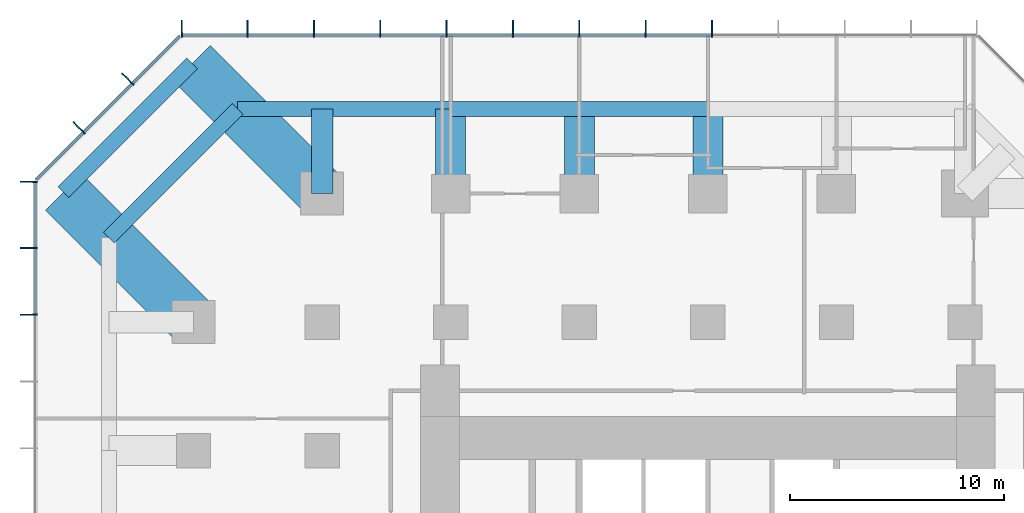
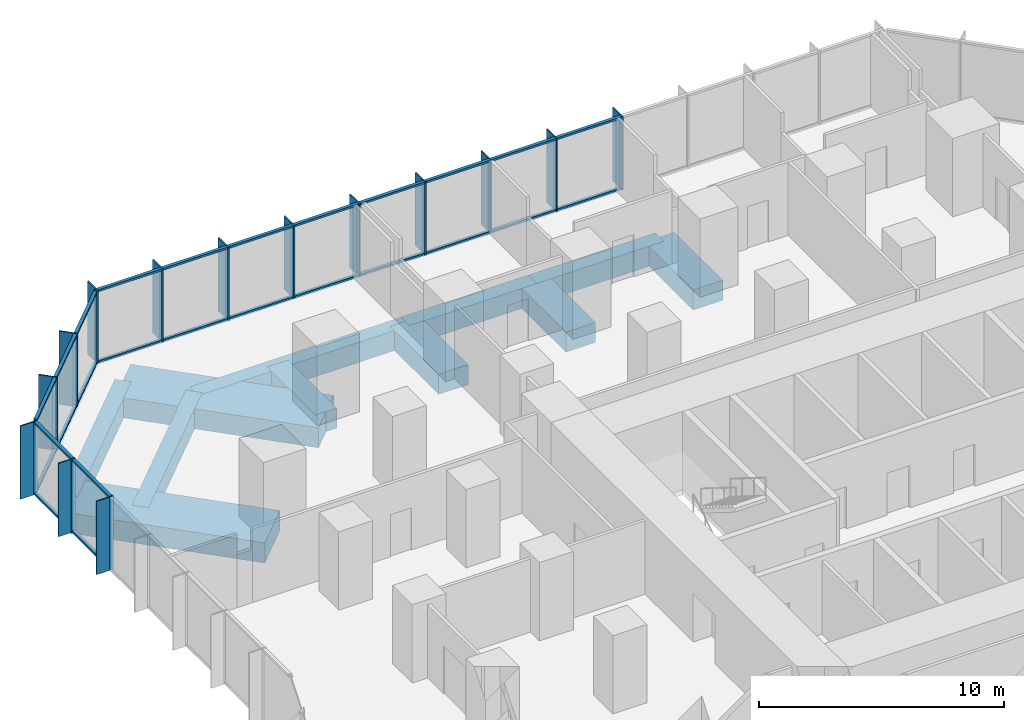
# One storey, part 5 of 11: 54 members, 11 beams, 3 elements without a shape of their own.
"""IFC4 building model written with IfcOpenShell, lengths in metres."""

from ifc_helpers import new_model, si_unit, direction, frame, origin, origin_2d, place, context, subcontext, project, spatial, rectangle, extrude, material, layer, layer_set, material_profile, profile_set, type_object, element, aggregate, save


model = new_model("IFC4")

# Units and contexts
model_context = context("Model", 3, precision=1e-05, world=origin(), true_north=direction((0.0, 1.0)))
body_context = subcontext(model_context, "Body", "Model", "MODEL_VIEW")
ifc_project = project(units=[si_unit("LENGTHUNIT", "METRE"), si_unit("AREAUNIT", "SQUARE_METRE"), si_unit("VOLUMEUNIT", "CUBIC_METRE"), si_unit("PLANEANGLEUNIT", "RADIAN"), si_unit("MASSUNIT", "GRAM", prefix="KILO")], contexts=[model_context])

# Site, building, storey
site_placement = place(None, origin())
site = spatial("IfcSite", under=ifc_project, at=site_placement, CompositionType="ELEMENT")
building_placement = place(site_placement, origin())
building = spatial("IfcBuilding", under=site, at=building_placement, Name="Highveld Stack Headquarters", CompositionType="ELEMENT")
storey_placement = place(building_placement, frame((0.0, 0.0, 93.800048828125)))
storey = spatial("IfcBuildingStorey", under=building, at=storey_placement, Name="L22", CompositionType="ELEMENT", Elevation=93.800048828125)

# Beams
ifc_material_1 = material(Name="Concrete C60/75", Category="concrete")
ifc_material_profile_1 = material_profile(ifc_material_1, rectangle(XDim=1.0, YDim=1.0, at=origin_2d()), Name="RC 1000x1000")
ifc_profile_set_1 = profile_set([ifc_material_profile_1], Name="Concrete C60/75")
beam_type_1 = type_object("IfcBeamType", Name="CANTILEVER RIB RC 1000x1000", PredefinedType="USERDEFINED", material=ifc_profile_set_1)
beam_1_placement = place(storey_placement, frame((-12.0, 24.0, -0.75), z_axis=(0.0, 1.0, 0.0), x_axis=(-1.0, 0.0, 0.0)))
element("IfcBeam", 1, at=beam_1_placement, inside=storey, type_object=beam_type_1, Name="Cantilever rib 4/J L22", ObjectType="CANTILEVER RIB", PredefinedType="USERDEFINED", context=body_context, shape_type="SweptSolid", body=[
    extrude(rectangle(XDim=1.0, YDim=1.0, at=origin_2d()), origin(), (0.0, 0.0, 1.0), 3.949951171875),
])
ifc_material_2 = material(Name="Concrete C60/75", Category="concrete")
ifc_material_profile_2 = material_profile(ifc_material_2, rectangle(XDim=1.39990234375, YDim=1.0, at=origin_2d()), Name="RC 1400x1000")
ifc_profile_set_2 = profile_set([ifc_material_profile_2], Name="Concrete C60/75")
beam_type_2 = type_object("IfcBeamType", Name="CANTILEVER RIB RC 1400x1000", PredefinedType="USERDEFINED", material=ifc_profile_set_2)
for number, where, z_axis, x_axis, name in (
    (2, (-6.0, 24.0, -0.75), (0.0, 1.0, 0.0), (-1.0, 0.0, 0.0), "Cantilever rib 5/J L22"),
    (3, (0.0, 24.0, -0.75), (0.0, 1.0, 0.0), (-1.0, 0.0, 0.0), "Cantilever rib 6/J L22"),
    (4, (6.0, 24.0, -0.75), (0.0, 1.0, 0.0), (-1.0, 0.0, 0.0), "Cantilever rib 7/J L22"),
):
    element("IfcBeam", number, at=place(storey_placement, frame(where, z_axis=z_axis, x_axis=x_axis)), inside=storey, type_object=beam_type_2, Name=name, ObjectType="CANTILEVER RIB", PredefinedType="USERDEFINED", context=body_context, shape_type="SweptSolid", body=[
        extrude(rectangle(XDim=1.39990234375, YDim=1.0, at=origin_2d()), origin(), (0.0, 0.0, 1.0), 3.949951171875),
    ])
ifc_material_3 = material(Name="Concrete C60/75", Category="concrete")
ifc_material_profile_3 = material_profile(ifc_material_3, rectangle(XDim=2.39990234375, YDim=1.0, at=origin_2d()), Name="RC 2400x1000")
ifc_profile_set_3 = profile_set([ifc_material_profile_3], Name="Concrete C60/75")
beam_type_3 = type_object("IfcBeamType", Name="CANTILEVER RIB RC 2400x1000", PredefinedType="USERDEFINED", material=ifc_profile_set_3)
for number, where, z_axis, x_axis, name in (
    (5, (-18.0, 18.0, -0.75), (-0.707106781187, 0.707106781187, 0.0), (-0.707106781187, -0.707106781187, 0.0), "Cantilever rib 3/H L22"),
    (6, (-12.0, 24.0, -0.75), (-0.707106781187, 0.707106781187, 0.0), (-0.707106781187, -0.707106781187, 0.0), "Cantilever rib 4/J L22"),
):
    element("IfcBeam", number, at=place(storey_placement, frame(where, z_axis=z_axis, x_axis=x_axis)), inside=storey, type_object=beam_type_3, Name=name, ObjectType="CANTILEVER RIB", PredefinedType="USERDEFINED", context=body_context, shape_type="SweptSolid", body=[
        extrude(rectangle(XDim=2.39990234375, YDim=1.0, at=origin_2d()), origin(), (0.0, 0.0, 1.0), 8.585693359375),
    ])

# Curtain wall, members
ifc_material_4 = material(Name="Aluminium bronze anodised", Category="aluminium")
ifc_layer = layer(ifc_material_4, 0.199951171875)
ifc_layer_set = layer_set([ifc_layer], Name="Aluminium bronze anodised")
curtain_wall_type = type_object("IfcCurtainWallType", Name="CW6 SKY LOBBY UNITISED CURTAIN WALL", PredefinedType="NOTDEFINED", material=ifc_layer_set)
curtain_wall_1_placement = place(storey_placement, origin())
curtain_wall_1 = element("IfcCurtainWall", 7, at=curtain_wall_1_placement, inside=storey, type_object=curtain_wall_type, Name="Curtain wall CW6 L22 N", PredefinedType="NOTDEFINED")
ifc_material_5 = material(Name="Aluminium bronze anodised", Category="aluminium")
ifc_material_profile_4 = material_profile(ifc_material_5, rectangle(XDim=0.60009765625, YDim=0.06005859375, at=origin_2d()), Name="FIN 600x60")
ifc_profile_set_4 = profile_set([ifc_material_profile_4], Name="Aluminium bronze anodised")
member_type_1 = type_object("IfcMemberType", Name="CW6 BRONZE FIN 600x60", PredefinedType="USERDEFINED", material=ifc_profile_set_4)
member_1_placement = place(storey_placement, frame((6.193359375, 31.800048828125, 0.0), z_axis=(0.0, 0.0, 1.0), x_axis=(0.0, -1.0, 0.0)))
member_1 = element("IfcMember", 8, at=member_1_placement, type_object=member_type_1, Name="CW6 fin L22 5", ObjectType="FIN", PredefinedType="USERDEFINED", context=body_context, shape_type="SweptSolid", body=[
    extrude(rectangle(XDim=0.60009765625, YDim=0.06005859375, at=origin_2d()), origin(), (0.0, 0.0, 1.0), 3.64990234375),
])
member_2_placement = place(storey_placement, frame((3.0966796875, 31.800048828125, 0.0), z_axis=(0.0, 0.0, 1.0), x_axis=(0.0, -1.0, 0.0)))
member_2 = element("IfcMember", 9, at=member_2_placement, type_object=member_type_1, Name="CW6 fin L22 6", ObjectType="FIN", PredefinedType="USERDEFINED", context=body_context, shape_type="SweptSolid", body=[
    extrude(rectangle(XDim=0.60009765625, YDim=0.06005859375, at=origin_2d()), origin(), (0.0, 0.0, 1.0), 3.64990234375),
])
member_3_placement = place(storey_placement, frame((0.0, 31.800048828125, 0.0), z_axis=(0.0, 0.0, 1.0), x_axis=(0.0, -1.0, 0.0)))
member_3 = element("IfcMember", 10, at=member_3_placement, type_object=member_type_1, Name="CW6 fin L22 7", ObjectType="FIN", PredefinedType="USERDEFINED", context=body_context, shape_type="SweptSolid", body=[
    extrude(rectangle(XDim=0.60009765625, YDim=0.06005859375, at=origin_2d()), origin(), (0.0, 0.0, 1.0), 3.64990234375),
])
member_4_placement = place(storey_placement, frame((-3.0966796875, 31.800048828125, 0.0), z_axis=(0.0, 0.0, 1.0), x_axis=(0.0, -1.0, 0.0)))
member_4 = element("IfcMember", 11, at=member_4_placement, type_object=member_type_1, Name="CW6 fin L22 8", ObjectType="FIN", PredefinedType="USERDEFINED", context=body_context, shape_type="SweptSolid", body=[
    extrude(rectangle(XDim=0.60009765625, YDim=0.06005859375, at=origin_2d()), origin(), (0.0, 0.0, 1.0), 3.64990234375),
])
member_5_placement = place(storey_placement, frame((-6.193359375, 31.800048828125, 0.0), z_axis=(0.0, 0.0, 1.0), x_axis=(0.0, -1.0, 0.0)))
member_5 = element("IfcMember", 12, at=member_5_placement, type_object=member_type_1, Name="CW6 fin L22 9", ObjectType="FIN", PredefinedType="USERDEFINED", context=body_context, shape_type="SweptSolid", body=[
    extrude(rectangle(XDim=0.60009765625, YDim=0.06005859375, at=origin_2d()), origin(), (0.0, 0.0, 1.0), 3.64990234375),
])
member_6_placement = place(storey_placement, frame((-9.2900390625, 31.800048828125, 0.0), z_axis=(0.0, 0.0, 1.0), x_axis=(0.0, -1.0, 0.0)))
member_6 = element("IfcMember", 13, at=member_6_placement, type_object=member_type_1, Name="CW6 fin L22 10", ObjectType="FIN", PredefinedType="USERDEFINED", context=body_context, shape_type="SweptSolid", body=[
    extrude(rectangle(XDim=0.60009765625, YDim=0.06005859375, at=origin_2d()), origin(), (0.0, 0.0, 1.0), 3.64990234375),
])
member_7_placement = place(storey_placement, frame((-12.38671875, 31.800048828125, 0.0), z_axis=(0.0, 0.0, 1.0), x_axis=(0.0, -1.0, 0.0)))
member_7 = element("IfcMember", 14, at=member_7_placement, type_object=member_type_1, Name="CW6 fin L22 11", ObjectType="FIN", PredefinedType="USERDEFINED", context=body_context, shape_type="SweptSolid", body=[
    extrude(rectangle(XDim=0.60009765625, YDim=0.06005859375, at=origin_2d()), origin(), (0.0, 0.0, 1.0), 3.64990234375),
])
member_8_placement = place(storey_placement, frame((-15.4833984375, 31.800048828125, 0.0), z_axis=(0.0, 0.0, 1.0), x_axis=(0.0, -1.0, 0.0)))
member_8 = element("IfcMember", 15, at=member_8_placement, type_object=member_type_1, Name="CW6 fin L22 12", ObjectType="FIN", PredefinedType="USERDEFINED", context=body_context, shape_type="SweptSolid", body=[
    extrude(rectangle(XDim=0.60009765625, YDim=0.06005859375, at=origin_2d()), origin(), (0.0, 0.0, 1.0), 3.64990234375),
])
member_9_placement = place(storey_placement, frame((-18.54736328125, 31.800048828125, 0.0), z_axis=(0.0, 0.0, 1.0), x_axis=(0.0, -1.0, 0.0)))
member_9 = element("IfcMember", 16, at=member_9_placement, type_object=member_type_1, Name="CW6 fin L22 13", ObjectType="FIN", PredefinedType="USERDEFINED", context=body_context, shape_type="SweptSolid", body=[
    extrude(rectangle(XDim=0.60009765625, YDim=0.06005859375, at=origin_2d()), origin(), (0.0, 0.0, 1.0), 3.64990234375),
])

curtain_wall_2_placement = place(storey_placement, origin())
curtain_wall_2 = element("IfcCurtainWall", 17, at=curtain_wall_2_placement, inside=storey, type_object=curtain_wall_type, Name="Curtain wall CW6 L22 NW", PredefinedType="NOTDEFINED")
member_10_placement = place(storey_placement, frame((-21.135986328125, 29.409423828125, 0.0), z_axis=(0.0, 0.0, 1.0), x_axis=(0.707106781187, -0.707106781187, 0.0)))
member_10 = element("IfcMember", 18, at=member_10_placement, type_object=member_type_1, Name="CW6 fin L22 1", ObjectType="FIN", PredefinedType="USERDEFINED", context=body_context, shape_type="SweptSolid", body=[
    extrude(rectangle(XDim=0.60009765625, YDim=0.06005859375, at=origin_2d()), origin(), (0.0, 0.0, 1.0), 3.64990234375),
])
member_11_placement = place(storey_placement, frame((-23.409423828125, 27.135986328125, 0.0), z_axis=(0.0, 0.0, 1.0), x_axis=(0.707106781187, -0.707106781187, 0.0)))
member_11 = element("IfcMember", 19, at=member_11_placement, type_object=member_type_1, Name="CW6 fin L22 2", ObjectType="FIN", PredefinedType="USERDEFINED", context=body_context, shape_type="SweptSolid", body=[
    extrude(rectangle(XDim=0.60009765625, YDim=0.06005859375, at=origin_2d()), origin(), (0.0, 0.0, 1.0), 3.64990234375),
])

curtain_wall_3_placement = place(storey_placement, origin())
curtain_wall_3 = element("IfcCurtainWall", 20, at=curtain_wall_3_placement, inside=storey, type_object=curtain_wall_type, Name="Curtain wall CW6 L22 W", PredefinedType="NOTDEFINED")
member_12_placement = place(storey_placement, frame((-25.800048828125, 24.54736328125, 0.0), z_axis=(0.0, 0.0, 1.0), x_axis=(1.0, 0.0, 0.0)))
member_12 = element("IfcMember", 21, at=member_12_placement, type_object=member_type_1, Name="CW6 fin L22 1", ObjectType="FIN", PredefinedType="USERDEFINED", context=body_context, shape_type="SweptSolid", body=[
    extrude(rectangle(XDim=0.60009765625, YDim=0.06005859375, at=origin_2d()), origin(), (0.0, 0.0, 1.0), 3.64990234375),
])
member_13_placement = place(storey_placement, frame((-25.800048828125, 21.4638671875, 0.0), z_axis=(0.0, 0.0, 1.0), x_axis=(1.0, 0.0, 0.0)))
member_13 = element("IfcMember", 22, at=member_13_placement, type_object=member_type_1, Name="CW6 fin L22 2", ObjectType="FIN", PredefinedType="USERDEFINED", context=body_context, shape_type="SweptSolid", body=[
    extrude(rectangle(XDim=0.60009765625, YDim=0.06005859375, at=origin_2d()), origin(), (0.0, 0.0, 1.0), 3.64990234375),
])
member_14_placement = place(storey_placement, frame((-25.800048828125, 18.347900390625, 0.0), z_axis=(0.0, 0.0, 1.0), x_axis=(1.0, 0.0, 0.0)))
member_14 = element("IfcMember", 23, at=member_14_placement, type_object=member_type_1, Name="CW6 fin L22 3", ObjectType="FIN", PredefinedType="USERDEFINED", context=body_context, shape_type="SweptSolid", body=[
    extrude(rectangle(XDim=0.60009765625, YDim=0.06005859375, at=origin_2d()), origin(), (0.0, 0.0, 1.0), 3.64990234375),
])

# Member
ifc_material_6 = material(Name="Aluminium bronze anodised", Category="aluminium")
ifc_material_profile_5 = material_profile(ifc_material_6, rectangle(XDim=0.199951171875, YDim=0.06494140625, at=origin_2d()), Name="CW6 MULLION 65x200")
ifc_profile_set_5 = profile_set([ifc_material_profile_5], Name="Aluminium bronze anodised")
member_type_2 = type_object("IfcMemberType", Name="CW6 MULLION 65x200", PredefinedType="MULLION", material=ifc_profile_set_5)
member_15_placement = place(storey_placement, frame((6.193359375, 31.39990234375, 0.0), z_axis=(0.0, 0.0, 1.0), x_axis=(0.0, -1.0, 0.0)))
member_15 = element("IfcMember", 24, at=member_15_placement, type_object=member_type_2, Name="CW6 mullion L22 5", PredefinedType="MULLION", context=body_context, shape_type="SweptSolid", body=[
    extrude(rectangle(XDim=0.199951171875, YDim=0.06494140625, at=origin_2d()), origin(), (0.0, 0.0, 1.0), 3.64990234375),
])

member_16_placement = place(storey_placement, frame((3.0966796875, 31.39990234375, 0.0), z_axis=(0.0, 0.0, 1.0), x_axis=(0.0, -1.0, 0.0)))
member_16 = element("IfcMember", 25, at=member_16_placement, type_object=member_type_2, Name="CW6 mullion L22 6", PredefinedType="MULLION", context=body_context, shape_type="SweptSolid", body=[
    extrude(rectangle(XDim=0.199951171875, YDim=0.06494140625, at=origin_2d()), origin(), (0.0, 0.0, 1.0), 3.64990234375),
])

member_17_placement = place(storey_placement, frame((0.0, 31.39990234375, 0.0), z_axis=(0.0, 0.0, 1.0), x_axis=(0.0, -1.0, 0.0)))
member_17 = element("IfcMember", 26, at=member_17_placement, type_object=member_type_2, Name="CW6 mullion L22 7", PredefinedType="MULLION", context=body_context, shape_type="SweptSolid", body=[
    extrude(rectangle(XDim=0.199951171875, YDim=0.06494140625, at=origin_2d()), origin(), (0.0, 0.0, 1.0), 3.64990234375),
])

member_18_placement = place(storey_placement, frame((-3.0966796875, 31.39990234375, 0.0), z_axis=(0.0, 0.0, 1.0), x_axis=(0.0, -1.0, 0.0)))
member_18 = element("IfcMember", 27, at=member_18_placement, type_object=member_type_2, Name="CW6 mullion L22 8", PredefinedType="MULLION", context=body_context, shape_type="SweptSolid", body=[
    extrude(rectangle(XDim=0.199951171875, YDim=0.06494140625, at=origin_2d()), origin(), (0.0, 0.0, 1.0), 3.64990234375),
])

member_19_placement = place(storey_placement, frame((-6.193359375, 31.39990234375, 0.0), z_axis=(0.0, 0.0, 1.0), x_axis=(0.0, -1.0, 0.0)))
member_19 = element("IfcMember", 28, at=member_19_placement, type_object=member_type_2, Name="CW6 mullion L22 9", PredefinedType="MULLION", context=body_context, shape_type="SweptSolid", body=[
    extrude(rectangle(XDim=0.199951171875, YDim=0.06494140625, at=origin_2d()), origin(), (0.0, 0.0, 1.0), 3.64990234375),
])

member_20_placement = place(storey_placement, frame((-9.2900390625, 31.39990234375, 0.0), z_axis=(0.0, 0.0, 1.0), x_axis=(0.0, -1.0, 0.0)))
member_20 = element("IfcMember", 29, at=member_20_placement, type_object=member_type_2, Name="CW6 mullion L22 10", PredefinedType="MULLION", context=body_context, shape_type="SweptSolid", body=[
    extrude(rectangle(XDim=0.199951171875, YDim=0.06494140625, at=origin_2d()), origin(), (0.0, 0.0, 1.0), 3.64990234375),
])

member_21_placement = place(storey_placement, frame((-12.38671875, 31.39990234375, 0.0), z_axis=(0.0, 0.0, 1.0), x_axis=(0.0, -1.0, 0.0)))
member_21 = element("IfcMember", 30, at=member_21_placement, type_object=member_type_2, Name="CW6 mullion L22 11", PredefinedType="MULLION", context=body_context, shape_type="SweptSolid", body=[
    extrude(rectangle(XDim=0.199951171875, YDim=0.06494140625, at=origin_2d()), origin(), (0.0, 0.0, 1.0), 3.64990234375),
])

member_22_placement = place(storey_placement, frame((-15.4833984375, 31.39990234375, 0.0), z_axis=(0.0, 0.0, 1.0), x_axis=(0.0, -1.0, 0.0)))
member_22 = element("IfcMember", 31, at=member_22_placement, type_object=member_type_2, Name="CW6 mullion L22 12", PredefinedType="MULLION", context=body_context, shape_type="SweptSolid", body=[
    extrude(rectangle(XDim=0.199951171875, YDim=0.06494140625, at=origin_2d()), origin(), (0.0, 0.0, 1.0), 3.64990234375),
])

member_23_placement = place(storey_placement, frame((-18.54736328125, 31.39990234375, 0.0), z_axis=(0.0, 0.0, 1.0), x_axis=(0.0, -1.0, 0.0)))
member_23 = element("IfcMember", 32, at=member_23_placement, type_object=member_type_2, Name="CW6 mullion L22 13", PredefinedType="MULLION", context=body_context, shape_type="SweptSolid", body=[
    extrude(rectangle(XDim=0.199951171875, YDim=0.06494140625, at=origin_2d()), origin(), (0.0, 0.0, 1.0), 3.64990234375),
])

member_24_placement = place(storey_placement, frame((-20.853271484375, 29.126708984375, 0.0), z_axis=(0.0, 0.0, 1.0), x_axis=(0.707106781187, -0.707106781187, 0.0)))
member_24 = element("IfcMember", 33, at=member_24_placement, type_object=member_type_2, Name="CW6 mullion L22 1", PredefinedType="MULLION", context=body_context, shape_type="SweptSolid", body=[
    extrude(rectangle(XDim=0.199951171875, YDim=0.06494140625, at=origin_2d()), origin(), (0.0, 0.0, 1.0), 3.64990234375),
])

member_25_placement = place(storey_placement, frame((-23.126708984375, 26.853271484375, 0.0), z_axis=(0.0, 0.0, 1.0), x_axis=(0.707106781187, -0.707106781187, 0.0)))
member_25 = element("IfcMember", 34, at=member_25_placement, type_object=member_type_2, Name="CW6 mullion L22 2", PredefinedType="MULLION", context=body_context, shape_type="SweptSolid", body=[
    extrude(rectangle(XDim=0.199951171875, YDim=0.06494140625, at=origin_2d()), origin(), (0.0, 0.0, 1.0), 3.64990234375),
])

member_26_placement = place(storey_placement, frame((-25.39990234375, 24.54736328125, 0.0), z_axis=(0.0, 0.0, 1.0), x_axis=(1.0, 0.0, 0.0)))
member_26 = element("IfcMember", 35, at=member_26_placement, type_object=member_type_2, Name="CW6 mullion L22 1", PredefinedType="MULLION", context=body_context, shape_type="SweptSolid", body=[
    extrude(rectangle(XDim=0.199951171875, YDim=0.06494140625, at=origin_2d()), origin(), (0.0, 0.0, 1.0), 3.64990234375),
])

member_27_placement = place(storey_placement, frame((-25.39990234375, 21.4638671875, 0.0), z_axis=(0.0, 0.0, 1.0), x_axis=(1.0, 0.0, 0.0)))
member_27 = element("IfcMember", 36, at=member_27_placement, type_object=member_type_2, Name="CW6 mullion L22 2", PredefinedType="MULLION", context=body_context, shape_type="SweptSolid", body=[
    extrude(rectangle(XDim=0.199951171875, YDim=0.06494140625, at=origin_2d()), origin(), (0.0, 0.0, 1.0), 3.64990234375),
])

member_28_placement = place(storey_placement, frame((-25.39990234375, 18.347900390625, 0.0), z_axis=(0.0, 0.0, 1.0), x_axis=(1.0, 0.0, 0.0)))
member_28 = element("IfcMember", 37, at=member_28_placement, type_object=member_type_2, Name="CW6 mullion L22 3", PredefinedType="MULLION", context=body_context, shape_type="SweptSolid", body=[
    extrude(rectangle(XDim=0.199951171875, YDim=0.06494140625, at=origin_2d()), origin(), (0.0, 0.0, 1.0), 3.64990234375),
])

ifc_material_7 = material(Name="Aluminium bronze anodised", Category="aluminium")
ifc_material_profile_6 = material_profile(ifc_material_7, rectangle(XDim=0.14990234375, YDim=0.10009765625, at=origin_2d()), Name="CW6 TRANSOM 150x100")
ifc_profile_set_6 = profile_set([ifc_material_profile_6], Name="Aluminium bronze anodised")
member_type_3 = type_object("IfcMemberType", Name="CW6 STACK TRANSOM 150x100", PredefinedType="USERDEFINED", material=ifc_profile_set_6)
member_29_placement = place(storey_placement, frame((6.160888671875, 31.39990234375, 0.050048828125), z_axis=(-1.0, 0.0, 0.0), x_axis=(0.0, -1.0, 0.0)))
member_29 = element("IfcMember", 38, at=member_29_placement, type_object=member_type_3, Name="CW6 transom L22 5.1", ObjectType="TRANSOM", PredefinedType="USERDEFINED", context=body_context, shape_type="SweptSolid", body=[
    extrude(rectangle(XDim=0.14990234375, YDim=0.10009765625, at=origin_2d()), origin(), (0.0, 0.0, 1.0), 3.03173828125),
])

member_30_placement = place(storey_placement, frame((6.160888671875, 31.39990234375, 3.599853515625), z_axis=(-1.0, 0.0, 0.0), x_axis=(0.0, -1.0, 0.0)))
member_30 = element("IfcMember", 39, at=member_30_placement, type_object=member_type_3, Name="CW6 transom L22 5.2", ObjectType="TRANSOM", PredefinedType="USERDEFINED", context=body_context, shape_type="SweptSolid", body=[
    extrude(rectangle(XDim=0.14990234375, YDim=0.10009765625, at=origin_2d()), origin(), (0.0, 0.0, 1.0), 3.03173828125),
])

member_31_placement = place(storey_placement, frame((3.064208984375, 31.39990234375, 0.050048828125), z_axis=(-1.0, 0.0, 0.0), x_axis=(0.0, -1.0, 0.0)))
member_31 = element("IfcMember", 40, at=member_31_placement, type_object=member_type_3, Name="CW6 transom L22 6.1", ObjectType="TRANSOM", PredefinedType="USERDEFINED", context=body_context, shape_type="SweptSolid", body=[
    extrude(rectangle(XDim=0.14990234375, YDim=0.10009765625, at=origin_2d()), origin(), (0.0, 0.0, 1.0), 3.03173828125),
])

member_32_placement = place(storey_placement, frame((3.064208984375, 31.39990234375, 3.599853515625), z_axis=(-1.0, 0.0, 0.0), x_axis=(0.0, -1.0, 0.0)))
member_32 = element("IfcMember", 41, at=member_32_placement, type_object=member_type_3, Name="CW6 transom L22 6.2", ObjectType="TRANSOM", PredefinedType="USERDEFINED", context=body_context, shape_type="SweptSolid", body=[
    extrude(rectangle(XDim=0.14990234375, YDim=0.10009765625, at=origin_2d()), origin(), (0.0, 0.0, 1.0), 3.03173828125),
])

member_33_placement = place(storey_placement, frame((-0.032470703125, 31.39990234375, 0.050048828125), z_axis=(-1.0, 0.0, 0.0), x_axis=(0.0, -1.0, 0.0)))
member_33 = element("IfcMember", 42, at=member_33_placement, type_object=member_type_3, Name="CW6 transom L22 7.1", ObjectType="TRANSOM", PredefinedType="USERDEFINED", context=body_context, shape_type="SweptSolid", body=[
    extrude(rectangle(XDim=0.14990234375, YDim=0.10009765625, at=origin_2d()), origin(), (0.0, 0.0, 1.0), 3.03173828125),
])

member_34_placement = place(storey_placement, frame((-0.032470703125, 31.39990234375, 3.599853515625), z_axis=(-1.0, 0.0, 0.0), x_axis=(0.0, -1.0, 0.0)))
member_34 = element("IfcMember", 43, at=member_34_placement, type_object=member_type_3, Name="CW6 transom L22 7.2", ObjectType="TRANSOM", PredefinedType="USERDEFINED", context=body_context, shape_type="SweptSolid", body=[
    extrude(rectangle(XDim=0.14990234375, YDim=0.10009765625, at=origin_2d()), origin(), (0.0, 0.0, 1.0), 3.03173828125),
])

member_35_placement = place(storey_placement, frame((-3.129150390625, 31.39990234375, 0.050048828125), z_axis=(-1.0, 0.0, 0.0), x_axis=(0.0, -1.0, 0.0)))
member_35 = element("IfcMember", 44, at=member_35_placement, type_object=member_type_3, Name="CW6 transom L22 8.1", ObjectType="TRANSOM", PredefinedType="USERDEFINED", context=body_context, shape_type="SweptSolid", body=[
    extrude(rectangle(XDim=0.14990234375, YDim=0.10009765625, at=origin_2d()), origin(), (0.0, 0.0, 1.0), 3.03173828125),
])

member_36_placement = place(storey_placement, frame((-3.129150390625, 31.39990234375, 3.599853515625), z_axis=(-1.0, 0.0, 0.0), x_axis=(0.0, -1.0, 0.0)))
member_36 = element("IfcMember", 45, at=member_36_placement, type_object=member_type_3, Name="CW6 transom L22 8.2", ObjectType="TRANSOM", PredefinedType="USERDEFINED", context=body_context, shape_type="SweptSolid", body=[
    extrude(rectangle(XDim=0.14990234375, YDim=0.10009765625, at=origin_2d()), origin(), (0.0, 0.0, 1.0), 3.03173828125),
])

member_37_placement = place(storey_placement, frame((-6.225830078125, 31.39990234375, 0.050048828125), z_axis=(-1.0, 0.0, 0.0), x_axis=(0.0, -1.0, 0.0)))
member_37 = element("IfcMember", 46, at=member_37_placement, type_object=member_type_3, Name="CW6 transom L22 9.1", ObjectType="TRANSOM", PredefinedType="USERDEFINED", context=body_context, shape_type="SweptSolid", body=[
    extrude(rectangle(XDim=0.14990234375, YDim=0.10009765625, at=origin_2d()), origin(), (0.0, 0.0, 1.0), 3.03173828125),
])

member_38_placement = place(storey_placement, frame((-6.225830078125, 31.39990234375, 3.599853515625), z_axis=(-1.0, 0.0, 0.0), x_axis=(0.0, -1.0, 0.0)))
member_38 = element("IfcMember", 47, at=member_38_placement, type_object=member_type_3, Name="CW6 transom L22 9.2", ObjectType="TRANSOM", PredefinedType="USERDEFINED", context=body_context, shape_type="SweptSolid", body=[
    extrude(rectangle(XDim=0.14990234375, YDim=0.10009765625, at=origin_2d()), origin(), (0.0, 0.0, 1.0), 3.03173828125),
])

member_39_placement = place(storey_placement, frame((-9.322509765625, 31.39990234375, 0.050048828125), z_axis=(-1.0, 0.0, 0.0), x_axis=(0.0, -1.0, 0.0)))
member_39 = element("IfcMember", 48, at=member_39_placement, type_object=member_type_3, Name="CW6 transom L22 10.1", ObjectType="TRANSOM", PredefinedType="USERDEFINED", context=body_context, shape_type="SweptSolid", body=[
    extrude(rectangle(XDim=0.14990234375, YDim=0.10009765625, at=origin_2d()), origin(), (0.0, 0.0, 1.0), 3.031494140625),
])

member_40_placement = place(storey_placement, frame((-9.322509765625, 31.39990234375, 3.599853515625), z_axis=(-1.0, 0.0, 0.0), x_axis=(0.0, -1.0, 0.0)))
member_40 = element("IfcMember", 49, at=member_40_placement, type_object=member_type_3, Name="CW6 transom L22 10.2", ObjectType="TRANSOM", PredefinedType="USERDEFINED", context=body_context, shape_type="SweptSolid", body=[
    extrude(rectangle(XDim=0.14990234375, YDim=0.10009765625, at=origin_2d()), origin(), (0.0, 0.0, 1.0), 3.031494140625),
])

member_41_placement = place(storey_placement, frame((-12.419189453125, 31.39990234375, 0.050048828125), z_axis=(-1.0, 0.0, 0.0), x_axis=(0.0, -1.0, 0.0)))
member_41 = element("IfcMember", 50, at=member_41_placement, type_object=member_type_3, Name="CW6 transom L22 11.1", ObjectType="TRANSOM", PredefinedType="USERDEFINED", context=body_context, shape_type="SweptSolid", body=[
    extrude(rectangle(XDim=0.14990234375, YDim=0.10009765625, at=origin_2d()), origin(), (0.0, 0.0, 1.0), 3.031494140625),
])

member_42_placement = place(storey_placement, frame((-12.419189453125, 31.39990234375, 3.599853515625), z_axis=(-1.0, 0.0, 0.0), x_axis=(0.0, -1.0, 0.0)))
member_42 = element("IfcMember", 51, at=member_42_placement, type_object=member_type_3, Name="CW6 transom L22 11.2", ObjectType="TRANSOM", PredefinedType="USERDEFINED", context=body_context, shape_type="SweptSolid", body=[
    extrude(rectangle(XDim=0.14990234375, YDim=0.10009765625, at=origin_2d()), origin(), (0.0, 0.0, 1.0), 3.031494140625),
])

member_43_placement = place(storey_placement, frame((-15.515869140625, 31.39990234375, 0.050048828125), z_axis=(-1.0, 0.0, 0.0), x_axis=(0.0, -1.0, 0.0)))
member_43 = element("IfcMember", 52, at=member_43_placement, type_object=member_type_3, Name="CW6 transom L22 12.1", ObjectType="TRANSOM", PredefinedType="USERDEFINED", context=body_context, shape_type="SweptSolid", body=[
    extrude(rectangle(XDim=0.14990234375, YDim=0.10009765625, at=origin_2d()), origin(), (0.0, 0.0, 1.0), 2.9990234375),
])

member_44_placement = place(storey_placement, frame((-15.515869140625, 31.39990234375, 3.599853515625), z_axis=(-1.0, 0.0, 0.0), x_axis=(0.0, -1.0, 0.0)))
member_44 = element("IfcMember", 53, at=member_44_placement, type_object=member_type_3, Name="CW6 transom L22 12.2", ObjectType="TRANSOM", PredefinedType="USERDEFINED", context=body_context, shape_type="SweptSolid", body=[
    extrude(rectangle(XDim=0.14990234375, YDim=0.10009765625, at=origin_2d()), origin(), (0.0, 0.0, 1.0), 2.9990234375),
])

aggregate(curtain_wall_1, [member_15, member_1, member_16, member_2, member_17, member_3, member_18, member_4, member_19, member_5, member_20, member_6, member_21, member_7, member_22, member_8, member_23, member_9, member_29, member_30, member_31, member_32, member_33, member_34, member_35, member_36, member_37, member_38, member_39, member_40, member_41, member_42, member_43, member_44])

member_45_placement = place(storey_placement, frame((-18.650634765625, 31.329345703125, 0.050048828125), z_axis=(-0.707106781187, -0.707106781187, 0.0), x_axis=(0.707106781187, -0.707106781187, 0.0)))
member_45 = element("IfcMember", 54, at=member_45_placement, type_object=member_type_3, Name="CW6 transom L22 1.1", ObjectType="TRANSOM", PredefinedType="USERDEFINED", context=body_context, shape_type="SweptSolid", body=[
    extrude(rectangle(XDim=0.14990234375, YDim=0.10009765625, at=origin_2d()), origin(), (0.0, 0.0, 1.0), 3.08251953125),
])

member_46_placement = place(storey_placement, frame((-18.650634765625, 31.329345703125, 3.599853515625), z_axis=(-0.707106781187, -0.707106781187, 0.0), x_axis=(0.707106781187, -0.707106781187, 0.0)))
member_46 = element("IfcMember", 55, at=member_46_placement, type_object=member_type_3, Name="CW6 transom L22 1.2", ObjectType="TRANSOM", PredefinedType="USERDEFINED", context=body_context, shape_type="SweptSolid", body=[
    extrude(rectangle(XDim=0.14990234375, YDim=0.10009765625, at=origin_2d()), origin(), (0.0, 0.0, 1.0), 3.08251953125),
])

member_47_placement = place(storey_placement, frame((-20.876220703125, 29.103759765625, 0.050048828125), z_axis=(-0.707106781187, -0.707106781187, 0.0), x_axis=(0.707106781187, -0.707106781187, 0.0)))
member_47 = element("IfcMember", 56, at=member_47_placement, type_object=member_type_3, Name="CW6 transom L22 2.1", ObjectType="TRANSOM", PredefinedType="USERDEFINED", context=body_context, shape_type="SweptSolid", body=[
    extrude(rectangle(XDim=0.14990234375, YDim=0.10009765625, at=origin_2d()), origin(), (0.0, 0.0, 1.0), 3.150146484375),
])

member_48_placement = place(storey_placement, frame((-20.876220703125, 29.103759765625, 3.599853515625), z_axis=(-0.707106781187, -0.707106781187, 0.0), x_axis=(0.707106781187, -0.707106781187, 0.0)))
member_48 = element("IfcMember", 57, at=member_48_placement, type_object=member_type_3, Name="CW6 transom L22 2.2", ObjectType="TRANSOM", PredefinedType="USERDEFINED", context=body_context, shape_type="SweptSolid", body=[
    extrude(rectangle(XDim=0.14990234375, YDim=0.10009765625, at=origin_2d()), origin(), (0.0, 0.0, 1.0), 3.150146484375),
])

member_49_placement = place(storey_placement, frame((-23.149658203125, 26.830322265625, 0.050048828125), z_axis=(-0.707106781187, -0.707106781187, 0.0), x_axis=(0.707106781187, -0.707106781187, 0.0)))
member_49 = element("IfcMember", 58, at=member_49_placement, type_object=member_type_3, Name="CW6 transom L22 3.1", ObjectType="TRANSOM", PredefinedType="USERDEFINED", context=body_context, shape_type="SweptSolid", body=[
    extrude(rectangle(XDim=0.14990234375, YDim=0.10009765625, at=origin_2d()), origin(), (0.0, 0.0, 1.0), 3.08251953125),
])

member_50_placement = place(storey_placement, frame((-23.149658203125, 26.830322265625, 3.599853515625), z_axis=(-0.707106781187, -0.707106781187, 0.0), x_axis=(0.707106781187, -0.707106781187, 0.0)))
member_50 = element("IfcMember", 59, at=member_50_placement, type_object=member_type_3, Name="CW6 transom L22 3.2", ObjectType="TRANSOM", PredefinedType="USERDEFINED", context=body_context, shape_type="SweptSolid", body=[
    extrude(rectangle(XDim=0.14990234375, YDim=0.10009765625, at=origin_2d()), origin(), (0.0, 0.0, 1.0), 3.08251953125),
])

aggregate(curtain_wall_2, [member_24, member_10, member_25, member_11, member_45, member_46, member_47, member_48, member_49, member_50])

member_51_placement = place(storey_placement, frame((-25.39990234375, 24.514892578125, 0.050048828125), z_axis=(0.0, -1.0, 0.0), x_axis=(1.0, 0.0, 0.0)))
member_51 = element("IfcMember", 60, at=member_51_placement, type_object=member_type_3, Name="CW6 transom L22 1.1", ObjectType="TRANSOM", PredefinedType="USERDEFINED", context=body_context, shape_type="SweptSolid", body=[
    extrude(rectangle(XDim=0.14990234375, YDim=0.10009765625, at=origin_2d()), origin(), (0.0, 0.0, 1.0), 3.0185546875),
])

member_52_placement = place(storey_placement, frame((-25.39990234375, 24.514892578125, 3.599853515625), z_axis=(0.0, -1.0, 0.0), x_axis=(1.0, 0.0, 0.0)))
member_52 = element("IfcMember", 61, at=member_52_placement, type_object=member_type_3, Name="CW6 transom L22 1.2", ObjectType="TRANSOM", PredefinedType="USERDEFINED", context=body_context, shape_type="SweptSolid", body=[
    extrude(rectangle(XDim=0.14990234375, YDim=0.10009765625, at=origin_2d()), origin(), (0.0, 0.0, 1.0), 3.0185546875),
])

member_53_placement = place(storey_placement, frame((-25.39990234375, 21.431396484375, 0.050048828125), z_axis=(0.0, -1.0, 0.0), x_axis=(1.0, 0.0, 0.0)))
member_53 = element("IfcMember", 62, at=member_53_placement, type_object=member_type_3, Name="CW6 transom L22 2.1", ObjectType="TRANSOM", PredefinedType="USERDEFINED", context=body_context, shape_type="SweptSolid", body=[
    extrude(rectangle(XDim=0.14990234375, YDim=0.10009765625, at=origin_2d()), origin(), (0.0, 0.0, 1.0), 3.051025390625),
])

member_54_placement = place(storey_placement, frame((-25.39990234375, 21.431396484375, 3.599853515625), z_axis=(0.0, -1.0, 0.0), x_axis=(1.0, 0.0, 0.0)))
member_54 = element("IfcMember", 63, at=member_54_placement, type_object=member_type_3, Name="CW6 transom L22 2.2", ObjectType="TRANSOM", PredefinedType="USERDEFINED", context=body_context, shape_type="SweptSolid", body=[
    extrude(rectangle(XDim=0.14990234375, YDim=0.10009765625, at=origin_2d()), origin(), (0.0, 0.0, 1.0), 3.051025390625),
])

aggregate(curtain_wall_3, [member_26, member_12, member_27, member_13, member_28, member_14, member_51, member_52, member_53, member_54])

# Beams
ifc_material_8 = material(Name="Concrete C60/75", Category="concrete")
ifc_material_profile_7 = material_profile(ifc_material_8, rectangle(XDim=0.699951171875, YDim=1.0, at=origin_2d()), Name="RC 700x1000")
ifc_profile_set_7 = profile_set([ifc_material_profile_7], Name="Concrete C60/75")
beam_type_4 = type_object("IfcBeamType", Name="RIB TIP BEAM RC 700x1000", PredefinedType="SPANDREL", material=ifc_profile_set_7)
beam_2_placement = place(storey_placement, frame((-15.949951171875, 27.949951171875, -0.75), z_axis=(1.0, 0.0, 0.0), x_axis=(0.0, 1.0, 0.0)))
element("IfcBeam", 64, at=beam_2_placement, inside=storey, type_object=beam_type_4, Name="Rib tip beam 4/J to 5/J L22", PredefinedType="SPANDREL", context=body_context, shape_type="SweptSolid", body=[
    extrude(rectangle(XDim=0.699951171875, YDim=1.0, at=origin_2d()), origin(), (0.0, 0.0, 1.0), 9.949951171875),
])
for number, where, z_axis, x_axis, name in (
    (65, (-6.0, 27.949951171875, -0.75), (1.0, 0.0, 0.0), (0.0, 1.0, 0.0), "Rib tip beam 5/J to 6/J L22"),
    (66, (0.0, 27.949951171875, -0.75), (1.0, 0.0, 0.0), (0.0, 1.0, 0.0), "Rib tip beam 6/J to 7/J L22"),
):
    element("IfcBeam", number, at=place(storey_placement, frame(where, z_axis=z_axis, x_axis=x_axis)), inside=storey, type_object=beam_type_4, Name=name, PredefinedType="SPANDREL", context=body_context, shape_type="SweptSolid", body=[
        extrude(rectangle(XDim=0.699951171875, YDim=1.0, at=origin_2d()), origin(), (0.0, 0.0, 1.0), 6.0),
    ])
for number, where, z_axis, x_axis, name in (
    (67, (-21.949951171875, 21.949951171875, -0.75), (0.707106781187, 0.707106781187, 0.0), (-0.707106781187, 0.707106781187, 0.0), "Rib tip beam 3/H to 4/J chamfer L22"),
    (68, (-24.071044921875, 24.071044921875, -0.75), (0.707106781187, 0.707106781187, 0.0), (-0.707106781187, 0.707106781187, 0.0), "Rib tip beam 3/H to 4/J chamfer edge L22"),
):
    element("IfcBeam", number, at=place(storey_placement, frame(where, z_axis=z_axis, x_axis=x_axis)), inside=storey, type_object=beam_type_4, Name=name, PredefinedType="SPANDREL", context=body_context, shape_type="SweptSolid", body=[
        extrude(rectangle(XDim=0.699951171875, YDim=1.0, at=origin_2d()), origin(), (0.0, 0.0, 1.0), 8.4853515625),
    ])

save(model, "model.ifc")
